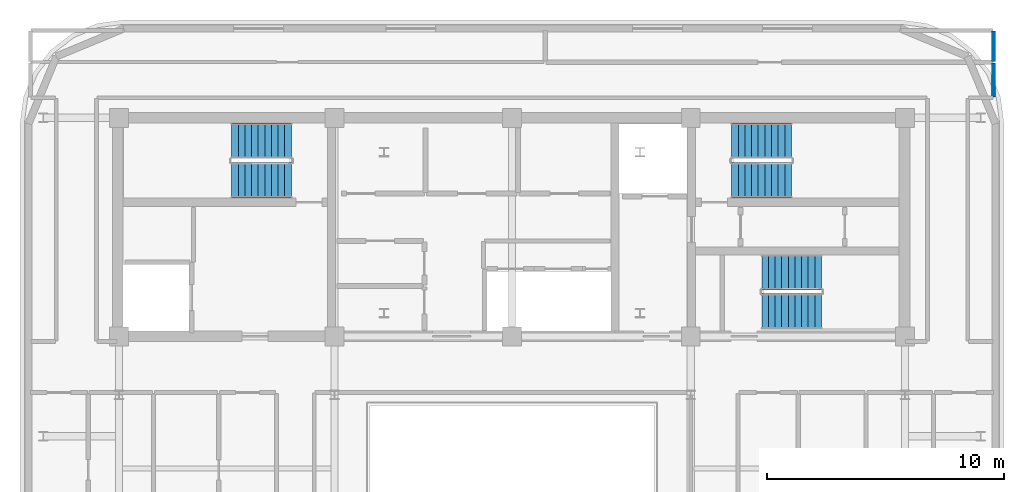
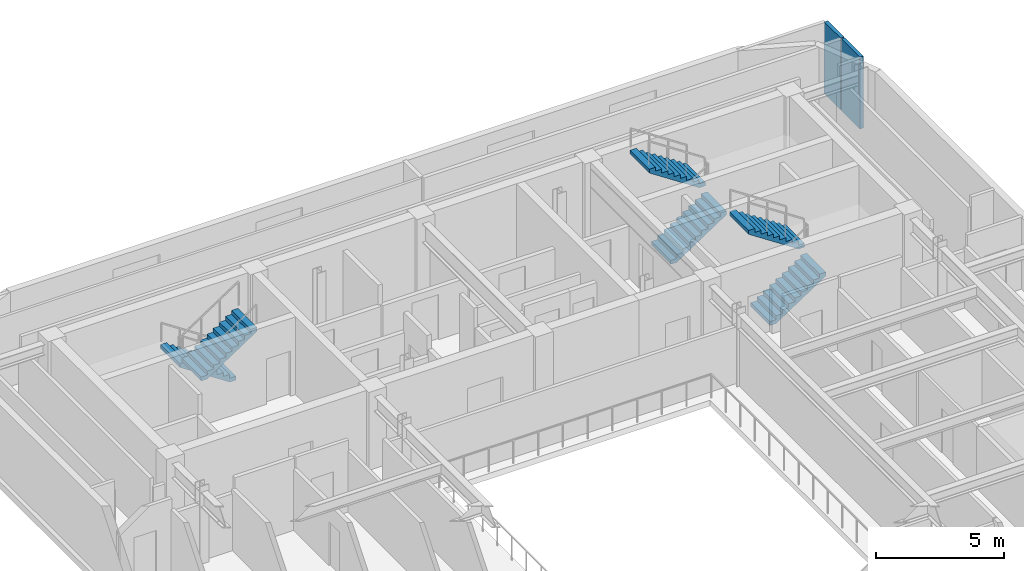
# One storey, part 10 of 13: 6 stair flights, 2 walls, 3 elements without a shape of their own.
"""IFC4 building model written with IfcOpenShell, lengths in metres."""

from ifc_helpers import new_model, si_unit, direction, frame, frame_2d, origin, place, context, subcontext, project, spatial, polyline, rectangle, outline, extrude, material, layer, layer_set, type_object, element, aggregate, save


model = new_model("IFC4")

# Units and contexts
model_context = context("Model", 3, precision=1e-05, world=origin(), true_north=direction((0.0, 1.0)))
body_context = subcontext(model_context, "Body", "Model", "MODEL_VIEW")
ifc_project = project(units=[si_unit("LENGTHUNIT", "METRE"), si_unit("AREAUNIT", "SQUARE_METRE"), si_unit("VOLUMEUNIT", "CUBIC_METRE"), si_unit("PLANEANGLEUNIT", "RADIAN"), si_unit("MASSUNIT", "GRAM", prefix="KILO")], contexts=[model_context])

# Site, building, storey
site_placement = place(None, origin())
site = spatial("IfcSite", under=ifc_project, at=site_placement, CompositionType="ELEMENT")
building_placement = place(site_placement, origin())
building = spatial("IfcBuilding", under=site, at=building_placement, Name="Zarnavel Station Tower", CompositionType="ELEMENT")
storey_placement = place(building_placement, frame((0.0, 0.0, 254.699951171875)))
storey = spatial("IfcBuildingStorey", under=building, at=storey_placement, Name="L69", CompositionType="ELEMENT", Elevation=254.699951171875)

# Walls
ifc_material_1 = material(Name="Gypsum Twin-Stud Acoustic Fire Partition", Category="concrete")
ifc_layer_1 = layer(ifc_material_1, 0.159912109375)
ifc_layer_set_1 = layer_set([ifc_layer_1], Name="PT_DEMISE_160")
wall_type = type_object("IfcWallType", Name="PT_DEMISE_160", PredefinedType="PARTITIONING", material=ifc_layer_set_1)
wall_1_placement = place(storey_placement, frame((49.139892578125, 37.929931640625, 0.0), z_axis=(0.0, 0.0, 1.0), x_axis=(0.0, 1.0, 0.0)))
element("IfcWall", 1, at=wall_1_placement, inside=storey, type_object=wall_type, Name="L69 Enclosure Wall COR-N", PredefinedType="PARTITIONING", context=body_context, shape_type="SweptSolid", body=[
    extrude(rectangle(XDim=1.440185546875, YDim=0.159912109375, at=frame_2d((0.72021484375, 0.0))), origin(), (0.0, 0.0, 1.0), 3.420166015625),
])
wall_2_placement = place(storey_placement, frame((49.139892578125, 39.429931640625, 0.0), z_axis=(0.0, 0.0, 1.0), x_axis=(0.0, 1.0, 0.0)))
element("IfcWall", 2, at=wall_2_placement, inside=storey, type_object=wall_type, Name="L69 Enclosure Wall NPAN", PredefinedType="PARTITIONING", context=body_context, shape_type="SweptSolid", body=[
    extrude(rectangle(XDim=1.280029296875, YDim=0.159912109375, at=frame_2d((0.64013671875, 0.0))), origin(), (0.0, 0.0, 1.0), 3.420166015625),
])

# Stair, stair flights
ifc_material_2 = material(Name="Concrete C45/55", Category="concrete")
stair_type = type_object("IfcStairType", Name="ST_CORE_150", PredefinedType="HALF_TURN_STAIR", material=ifc_material_2)
stair_1_placement = place(storey_placement, origin())
stair_1 = element("IfcStair", 3, at=stair_1_placement, inside=storey, type_object=stair_type, Name="L69 Core Exit Stair ST1", PredefinedType="HALF_TURN_STAIR")
ifc_material_3 = material(Name="Concrete C45/55", Category="concrete")
ifc_layer_2 = layer(ifc_material_3, 0.179931640625)
ifc_layer_set_2 = layer_set([ifc_layer_2], Name="ST_CORE_150_FLT")
stair_flight_type = type_object("IfcStairFlightType", Name="ST_CORE_150_FLT", PredefinedType="STRAIGHT", material=ifc_layer_set_2)
stair_flight_1_placement = place(storey_placement, frame((19.47998046875, 36.070068359375, 0.0), z_axis=(0.0, 0.0, 1.0), x_axis=(-1.0, 0.0, 0.0)))
stair_flight_1 = element("IfcStairFlight", 4, at=stair_flight_1_placement, type_object=stair_flight_type, Name="ST1 flight 1", NumberOfRisers=10, NumberOfTreads=9, PredefinedType="STRAIGHT", RiserHeight=0.185, TreadLength=0.28, context=body_context, shape_type="SweptSolid", body=[
    extrude(outline(polyline([(0.0, 0.0), (0.0, 0.18505859375), (0.280029296875, 0.18505859375), (0.280029296875, 0.3701171875), (0.56005859375, 0.3701171875), (0.56005859375, 0.554931640625), (0.840087890625, 0.554931640625), (0.840087890625, 0.739990234375), (1.1201171875, 0.739990234375), (1.1201171875, 0.925048828125), (1.39990234375, 0.925048828125), (1.39990234375, 1.110107421875), (1.679931640625, 1.110107421875), (1.679931640625, 1.294921875), (1.9599609375, 1.294921875), (1.9599609375, 1.47998046875), (2.239990234375, 1.47998046875), (2.239990234375, 1.6650390625), (2.52001953125, 1.6650390625), (2.52001953125, 1.85009765625), (2.52001953125, 1.4853515625), (0.27197265625, 0.0), (0.0, 0.0)])), frame((0.0, 0.75, 0.0), z_axis=(0.0, -1.0, 0.0), x_axis=(1.0, 0.0, 0.0)), (0.0, 0.0, 1.0), 1.5),
])
stair_flight_2_placement = place(storey_placement, frame((16.9599609375, 34.409912109375, 1.85009765625), z_axis=(0.0, 0.0, 1.0), x_axis=(1.0, 0.0, 0.0)))
stair_flight_2 = element("IfcStairFlight", 5, at=stair_flight_2_placement, type_object=stair_flight_type, Name="ST1 flight 2", NumberOfRisers=10, NumberOfTreads=9, PredefinedType="STRAIGHT", RiserHeight=0.185, TreadLength=0.28, context=body_context, shape_type="SweptSolid", body=[
    extrude(outline(polyline([(0.0, 0.0), (0.0, 0.18505859375), (0.280029296875, 0.18505859375), (0.280029296875, 0.3701171875), (0.56005859375, 0.3701171875), (0.56005859375, 0.554931640625), (0.840087890625, 0.554931640625), (0.840087890625, 0.739990234375), (1.1201171875, 0.739990234375), (1.1201171875, 0.925048828125), (1.39990234375, 0.925048828125), (1.39990234375, 1.110107421875), (1.679931640625, 1.110107421875), (1.679931640625, 1.294921875), (1.9599609375, 1.294921875), (1.9599609375, 1.47998046875), (2.239990234375, 1.47998046875), (2.239990234375, 1.6650390625), (2.52001953125, 1.6650390625), (2.52001953125, 1.85009765625), (2.52001953125, 1.4853515625), (0.27197265625, 0.0), (0.0, 0.0)])), frame((0.0, 0.75, 0.0), z_axis=(0.0, -1.0, 0.0), x_axis=(1.0, 0.0, 0.0)), (0.0, 0.0, 1.0), 1.5),
])
aggregate(stair_1, [stair_flight_1, stair_flight_2])

stair_2_placement = place(storey_placement, origin())
stair_2 = element("IfcStair", 6, at=stair_2_placement, inside=storey, type_object=stair_type, Name="L69 Core Exit Stair ST2", PredefinedType="HALF_TURN_STAIR")
stair_flight_3_placement = place(storey_placement, frame((38.080078125, 34.409912109375, 0.0), z_axis=(0.0, 0.0, 1.0), x_axis=(1.0, 0.0, 0.0)))
stair_flight_3 = element("IfcStairFlight", 7, at=stair_flight_3_placement, type_object=stair_flight_type, Name="ST2 flight 1", NumberOfRisers=10, NumberOfTreads=9, PredefinedType="STRAIGHT", RiserHeight=0.185, TreadLength=0.28, context=body_context, shape_type="SweptSolid", body=[
    extrude(outline(polyline([(0.0, 0.0), (0.0, 0.18505859375), (0.280029296875, 0.18505859375), (0.280029296875, 0.3701171875), (0.56005859375, 0.3701171875), (0.56005859375, 0.554931640625), (0.840087890625, 0.554931640625), (0.840087890625, 0.739990234375), (1.1201171875, 0.739990234375), (1.1201171875, 0.925048828125), (1.39990234375, 0.925048828125), (1.39990234375, 1.110107421875), (1.679931640625, 1.110107421875), (1.679931640625, 1.294921875), (1.9599609375, 1.294921875), (1.9599609375, 1.47998046875), (2.239990234375, 1.47998046875), (2.239990234375, 1.6650390625), (2.52001953125, 1.6650390625), (2.52001953125, 1.85009765625), (2.52001953125, 1.4853515625), (0.27197265625, 0.0), (0.0, 0.0)])), frame((0.0, 0.75, 0.0), z_axis=(0.0, -1.0, 0.0), x_axis=(1.0, 0.0, 0.0)), (0.0, 0.0, 1.0), 1.5),
])
stair_flight_4_placement = place(storey_placement, frame((40.60009765625, 36.070068359375, 1.85009765625), z_axis=(0.0, 0.0, 1.0), x_axis=(-1.0, 0.0, 0.0)))
stair_flight_4 = element("IfcStairFlight", 8, at=stair_flight_4_placement, type_object=stair_flight_type, Name="ST2 flight 2", NumberOfRisers=10, NumberOfTreads=9, PredefinedType="STRAIGHT", RiserHeight=0.185, TreadLength=0.28, context=body_context, shape_type="SweptSolid", body=[
    extrude(outline(polyline([(0.0, 0.0), (0.0, 0.18505859375), (0.280029296875, 0.18505859375), (0.280029296875, 0.3701171875), (0.56005859375, 0.3701171875), (0.56005859375, 0.554931640625), (0.840087890625, 0.554931640625), (0.840087890625, 0.739990234375), (1.1201171875, 0.739990234375), (1.1201171875, 0.925048828125), (1.39990234375, 0.925048828125), (1.39990234375, 1.110107421875), (1.679931640625, 1.110107421875), (1.679931640625, 1.294921875), (1.9599609375, 1.294921875), (1.9599609375, 1.47998046875), (2.239990234375, 1.47998046875), (2.239990234375, 1.6650390625), (2.52001953125, 1.6650390625), (2.52001953125, 1.85009765625), (2.52001953125, 1.4853515625), (0.27197265625, 0.0), (0.0, 0.0)])), frame((0.0, 0.75, 0.0), z_axis=(0.0, -1.0, 0.0), x_axis=(1.0, 0.0, 0.0)), (0.0, 0.0, 1.0), 1.5),
])
aggregate(stair_2, [stair_flight_3, stair_flight_4])

stair_3_placement = place(storey_placement, origin())
stair_3 = element("IfcStair", 9, at=stair_3_placement, inside=storey, type_object=stair_type, Name="L69 Core Exit Stair ST3", PredefinedType="HALF_TURN_STAIR")
stair_flight_5_placement = place(storey_placement, frame((39.35009765625, 28.8701171875, 0.0), z_axis=(0.0, 0.0, 1.0), x_axis=(1.0, 0.0, 0.0)))
stair_flight_5 = element("IfcStairFlight", 10, at=stair_flight_5_placement, type_object=stair_flight_type, Name="ST3 flight 1", NumberOfRisers=10, NumberOfTreads=9, PredefinedType="STRAIGHT", RiserHeight=0.185, TreadLength=0.28, context=body_context, shape_type="SweptSolid", body=[
    extrude(outline(polyline([(0.0, 0.0), (0.0, 0.18505859375), (0.280029296875, 0.18505859375), (0.280029296875, 0.3701171875), (0.56005859375, 0.3701171875), (0.56005859375, 0.554931640625), (0.840087890625, 0.554931640625), (0.840087890625, 0.739990234375), (1.1201171875, 0.739990234375), (1.1201171875, 0.925048828125), (1.39990234375, 0.925048828125), (1.39990234375, 1.110107421875), (1.679931640625, 1.110107421875), (1.679931640625, 1.294921875), (1.9599609375, 1.294921875), (1.9599609375, 1.47998046875), (2.239990234375, 1.47998046875), (2.239990234375, 1.6650390625), (2.52001953125, 1.6650390625), (2.52001953125, 1.85009765625), (2.52001953125, 1.4853515625), (0.27197265625, 0.0), (0.0, 0.0)])), frame((0.0, 0.75, 0.0), z_axis=(0.0, -1.0, 0.0), x_axis=(1.0, 0.0, 0.0)), (0.0, 0.0, 1.0), 1.5),
])
stair_flight_6_placement = place(storey_placement, frame((41.8701171875, 30.530029296875, 1.85009765625), z_axis=(0.0, 0.0, 1.0), x_axis=(-1.0, 0.0, 0.0)))
stair_flight_6 = element("IfcStairFlight", 11, at=stair_flight_6_placement, type_object=stair_flight_type, Name="ST3 flight 2", NumberOfRisers=10, NumberOfTreads=9, PredefinedType="STRAIGHT", RiserHeight=0.185, TreadLength=0.28, context=body_context, shape_type="SweptSolid", body=[
    extrude(outline(polyline([(0.0, 0.0), (0.0, 0.18505859375), (0.280029296875, 0.18505859375), (0.280029296875, 0.3701171875), (0.56005859375, 0.3701171875), (0.56005859375, 0.554931640625), (0.840087890625, 0.554931640625), (0.840087890625, 0.739990234375), (1.1201171875, 0.739990234375), (1.1201171875, 0.925048828125), (1.39990234375, 0.925048828125), (1.39990234375, 1.110107421875), (1.679931640625, 1.110107421875), (1.679931640625, 1.294921875), (1.9599609375, 1.294921875), (1.9599609375, 1.47998046875), (2.239990234375, 1.47998046875), (2.239990234375, 1.6650390625), (2.52001953125, 1.6650390625), (2.52001953125, 1.85009765625), (2.52001953125, 1.4853515625), (0.27197265625, 0.0), (0.0, 0.0)])), frame((0.0, 0.75, 0.0), z_axis=(0.0, -1.0, 0.0), x_axis=(1.0, 0.0, 0.0)), (0.0, 0.0, 1.0), 1.5),
])
aggregate(stair_3, [stair_flight_5, stair_flight_6])

save(model, "model.ifc")
